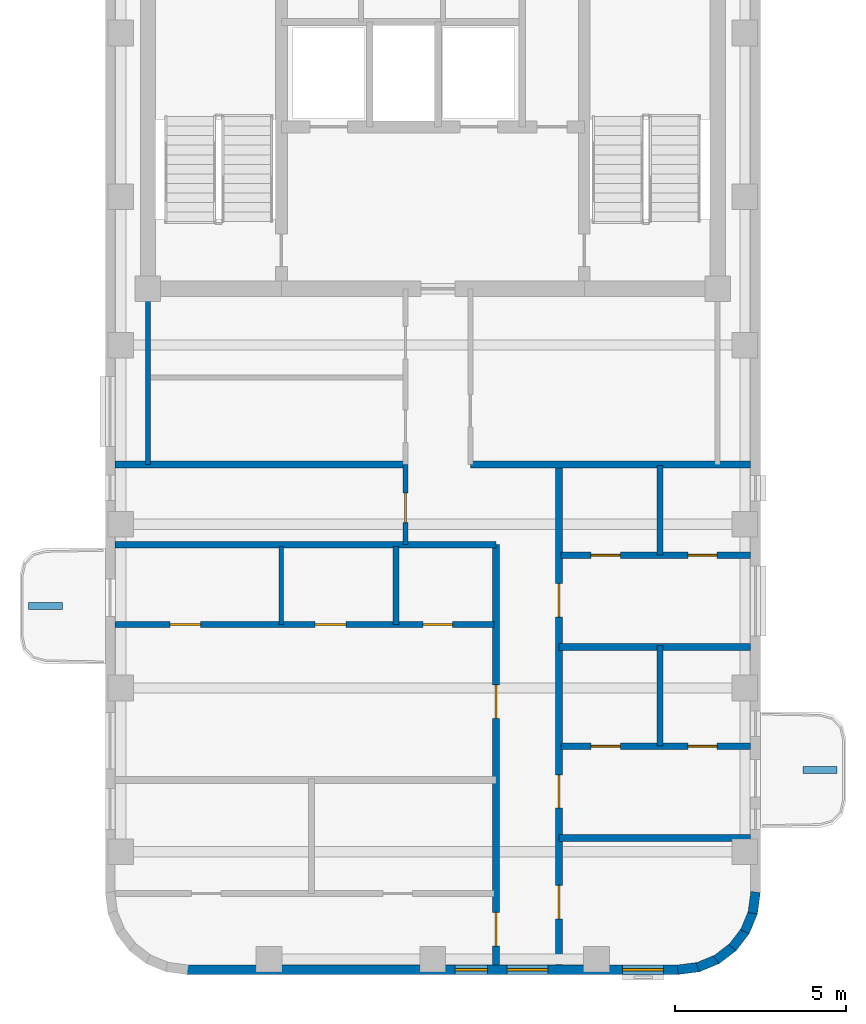
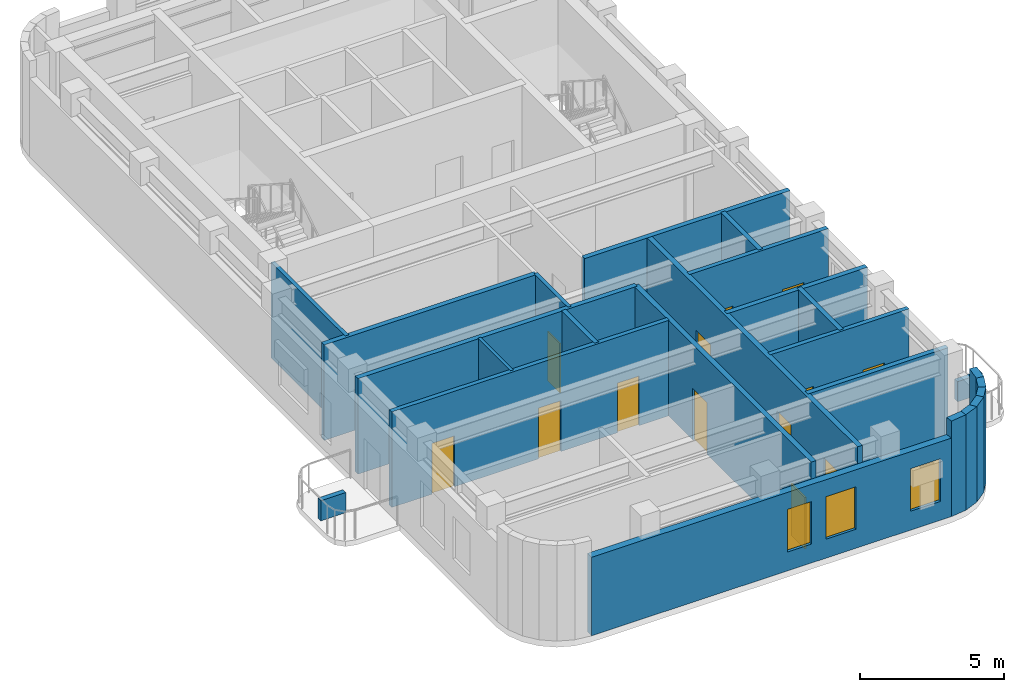
# One storey, part 2 of 7: 25 walls, 13 doors, 3 windows, 16 openings.
"""IFC4 building model written with IfcOpenShell, lengths in metres."""

from ifc_helpers import new_model, si_unit, direction, frame, frame_2d, origin, place, context, subcontext, project, spatial, rectangle, extrude, material, layer, layer_set, type_object, element, fill, save


model = new_model("IFC4")

# Units and contexts
model_context = context("Model", 3, precision=1e-05, world=origin(), true_north=direction((0.0, 1.0)))
body_context = subcontext(model_context, "Body", "Model", "MODEL_VIEW")
ifc_project = project(units=[si_unit("LENGTHUNIT", "METRE"), si_unit("AREAUNIT", "SQUARE_METRE"), si_unit("VOLUMEUNIT", "CUBIC_METRE"), si_unit("PLANEANGLEUNIT", "RADIAN"), si_unit("MASSUNIT", "GRAM", prefix="KILO")], contexts=[model_context])

# Site, building, storey
site_placement = place(None, origin())
site = spatial("IfcSite", under=ifc_project, at=site_placement, CompositionType="ELEMENT")
building_placement = place(site_placement, origin())
building = spatial("IfcBuilding", under=site, at=building_placement, Name="Orvandelia Arch Residences", CompositionType="ELEMENT")
storey_placement = place(building_placement, frame((0.0, 0.0, 269.89990234375)))
storey = spatial("IfcBuildingStorey", under=building, at=storey_placement, Name="L70", CompositionType="ELEMENT", Elevation=269.89990234375)

# Wall, openings, doors
ifc_material_1 = material(Name="Fire-Rated Corridor Partition")
ifc_layer_1 = layer(ifc_material_1, 0.199951171875, Name="Fire-Rated Corridor Partition")
ifc_layer_set_1 = layer_set([ifc_layer_1], Name="Fire-Rated Corridor Partition")
wall_type_1 = type_object("IfcWallType", Name="WL-CORR-200", PredefinedType="PARTITIONING", material=ifc_layer_set_1)
wall_1_placement = place(storey_placement, frame((16.25, 11.080078125, 0.0), z_axis=(0.0, 0.0, 1.0), x_axis=(0.0, 1.0, 0.0)))
wall_1 = element("IfcWall", 1, at=wall_1_placement, inside=storey, type_object=wall_type_1, Name="Interior Partition Wall WL-L70-WC-W", PredefinedType="PARTITIONING", context=body_context, shape_type="SweptSolid", body=[
    extrude(rectangle(XDim=12.31982421875, YDim=0.199951171875, at=frame_2d((6.159912109375, 0.0))), origin(), (0.0, 0.0, 1.0), 4.0400390625),
])
opening_1_placement = place(wall_1_placement, frame((0.56005859375, 0.0, 0.0)))
opening_1 = element("IfcOpeningElement", 2, at=opening_1_placement, cuts=wall_1, Name="Opening D1", PredefinedType="OPENING", context=body_context, shape_type="SweptSolid", body=[
    extrude(rectangle(XDim=0.97998046875, YDim=2.179931640625, at=frame_2d((0.489990234375, 1.08984375))), frame((0.0, 0.10986328125, 0.0), z_axis=(0.0, -1.0, 0.0), x_axis=(1.0, 0.0, 0.0)), (0.0, 0.0, 1.0), 0.219970703125),
])
opening_2_placement = place(wall_1_placement, frame((7.22998046875, 0.0, 0.0)))
opening_2 = element("IfcOpeningElement", 3, at=opening_2_placement, cuts=wall_1, Name="Opening D1", PredefinedType="OPENING", context=body_context, shape_type="SweptSolid", body=[
    extrude(rectangle(XDim=0.97998046875, YDim=2.179931640625, at=frame_2d((0.489990234375, 1.08984375))), frame((0.0, 0.10986328125, 0.0), z_axis=(0.0, -1.0, 0.0), x_axis=(1.0, 0.0, 0.0)), (0.0, 0.0, 1.0), 0.219970703125),
])
ifc_material_2 = material(Name="Solid-Core Timber Acoustic Fire Door", Category="wood")
door_type_1 = type_object("IfcDoorType", Name="DR-ENT-980", OperationType="NOTDEFINED", PredefinedType="DOOR", material=ifc_material_2)
door_1_placement = place(opening_1_placement, origin())
door_1 = element("IfcDoor", 4, at=door_1_placement, inside=storey, type_object=door_type_1, Name="Unit L70-01 Entrance Door", OperationType="SINGLE_SWING_LEFT", OverallHeight=2.179931640625, OverallWidth=0.97998046875, PredefinedType="DOOR", context=body_context, shape_type="SweptSolid", body=[
    extrude(rectangle(XDim=0.97998046875, YDim=2.179931640625, at=frame_2d((0.489990234375, 1.08984375))), frame((0.0, 0.02490234375, 0.0), z_axis=(0.0, -1.0, 0.0), x_axis=(1.0, 0.0, 0.0)), (0.0, 0.0, 1.0), 0.050048828125),
])
fill(opening_1, door_1)
door_2_placement = place(opening_2_placement, origin())
door_2 = element("IfcDoor", 5, at=door_2_placement, inside=storey, type_object=door_type_1, Name="Unit L70-02 Entrance Door", OperationType="SINGLE_SWING_RIGHT", OverallHeight=2.179931640625, OverallWidth=0.97998046875, PredefinedType="DOOR", context=body_context, shape_type="SweptSolid", body=[
    extrude(rectangle(XDim=0.97998046875, YDim=2.179931640625, at=frame_2d((0.489990234375, 1.08984375))), frame((0.0, 0.02490234375, 0.0), z_axis=(0.0, -1.0, 0.0), x_axis=(1.0, 0.0, 0.0)), (0.0, 0.0, 1.0), 0.050048828125),
])
fill(opening_2, door_2)

wall_2_placement = place(storey_placement, frame((18.10009765625, 11.080078125, 0.0), z_axis=(0.0, 0.0, 1.0), x_axis=(0.0, 1.0, 0.0)))
wall_2 = element("IfcWall", 6, at=wall_2_placement, inside=storey, type_object=wall_type_1, Name="Interior Partition Wall WL-L70-WC-E", PredefinedType="PARTITIONING", context=body_context, shape_type="SweptSolid", body=[
    extrude(rectangle(XDim=14.669921875, YDim=0.199951171875, at=frame_2d((7.3349609375, 0.0))), origin(), (0.0, 0.0, 1.0), 4.0400390625),
])
opening_3_placement = place(wall_2_placement, frame((1.35009765625, 0.0, 0.0)))
opening_3 = element("IfcOpeningElement", 7, at=opening_3_placement, cuts=wall_2, Name="Opening D1", PredefinedType="OPENING", context=body_context, shape_type="SweptSolid", body=[
    extrude(rectangle(XDim=0.97998046875, YDim=2.179931640625, at=frame_2d((0.489990234375, 1.08984375))), frame((0.0, 0.10986328125, 0.0), z_axis=(0.0, -1.0, 0.0), x_axis=(1.0, 0.0, 0.0)), (0.0, 0.0, 1.0), 0.219970703125),
])
opening_4_placement = place(wall_2_placement, frame((4.595947265625, 0.0, 0.0)))
opening_4 = element("IfcOpeningElement", 8, at=opening_4_placement, cuts=wall_2, Name="Opening D1", PredefinedType="OPENING", context=body_context, shape_type="SweptSolid", body=[
    extrude(rectangle(XDim=0.97998046875, YDim=2.179931640625, at=frame_2d((0.489990234375, 1.08984375))), frame((0.0, 0.10986328125, 0.0), z_axis=(0.0, -1.0, 0.0), x_axis=(1.0, 0.0, 0.0)), (0.0, 0.0, 1.0), 0.219970703125),
])
opening_5_placement = place(wall_2_placement, frame((10.196044921875, 0.0, 0.0)))
opening_5 = element("IfcOpeningElement", 9, at=opening_5_placement, cuts=wall_2, Name="Opening D1", PredefinedType="OPENING", context=body_context, shape_type="SweptSolid", body=[
    extrude(rectangle(XDim=0.97998046875, YDim=2.179931640625, at=frame_2d((0.489990234375, 1.08984375))), frame((0.0, 0.10986328125, 0.0), z_axis=(0.0, -1.0, 0.0), x_axis=(1.0, 0.0, 0.0)), (0.0, 0.0, 1.0), 0.219970703125),
])
door_3_placement = place(opening_3_placement, origin())
door_3 = element("IfcDoor", 10, at=door_3_placement, inside=storey, type_object=door_type_1, Name="Unit L70-03 Study Door", OperationType="SINGLE_SWING_LEFT", OverallHeight=2.179931640625, OverallWidth=0.97998046875, PredefinedType="DOOR", context=body_context, shape_type="SweptSolid", body=[
    extrude(rectangle(XDim=0.97998046875, YDim=2.179931640625, at=frame_2d((0.489990234375, 1.08984375))), frame((0.0, 0.02490234375, 0.0), z_axis=(0.0, -1.0, 0.0), x_axis=(1.0, 0.0, 0.0)), (0.0, 0.0, 1.0), 0.050048828125),
])
fill(opening_3, door_3)
door_4_placement = place(opening_4_placement, origin())
door_4 = element("IfcDoor", 11, at=door_4_placement, inside=storey, type_object=door_type_1, Name="Unit L70-04 Entrance Door", OperationType="SINGLE_SWING_RIGHT", OverallHeight=2.179931640625, OverallWidth=0.97998046875, PredefinedType="DOOR", context=body_context, shape_type="SweptSolid", body=[
    extrude(rectangle(XDim=0.97998046875, YDim=2.179931640625, at=frame_2d((0.489990234375, 1.08984375))), frame((0.0, 0.02490234375, 0.0), z_axis=(0.0, -1.0, 0.0), x_axis=(1.0, 0.0, 0.0)), (0.0, 0.0, 1.0), 0.050048828125),
])
fill(opening_4, door_4)
door_5_placement = place(opening_5_placement, origin())
door_5 = element("IfcDoor", 12, at=door_5_placement, inside=storey, type_object=door_type_1, Name="Unit L70-05 Entrance Door", OperationType="SINGLE_SWING_LEFT", OverallHeight=2.179931640625, OverallWidth=0.97998046875, PredefinedType="DOOR", context=body_context, shape_type="SweptSolid", body=[
    extrude(rectangle(XDim=0.97998046875, YDim=2.179931640625, at=frame_2d((0.489990234375, 1.08984375))), frame((0.0, 0.02490234375, 0.0), z_axis=(0.0, -1.0, 0.0), x_axis=(1.0, 0.0, 0.0)), (0.0, 0.0, 1.0), 0.050048828125),
])
fill(opening_5, door_5)

# Walls
wall_3_placement = place(storey_placement, frame((5.080078125, 23.39990234375, 0.0), z_axis=(0.0, 0.0, 1.0), x_axis=(1.0, 0.0, 0.0)))
element("IfcWall", 13, at=wall_3_placement, inside=storey, type_object=wall_type_1, Name="Interior Partition Wall WL-L70-WLNK-S", PredefinedType="PARTITIONING", context=body_context, shape_type="SweptSolid", body=[
    extrude(rectangle(XDim=11.169921875, YDim=0.199951171875, at=frame_2d((5.5849609375, 0.0))), origin(), (0.0, 0.0, 1.0), 4.0400390625),
])
wall_4_placement = place(storey_placement, frame((15.5, 25.75, 0.0), z_axis=(0.0, 0.0, 1.0), x_axis=(1.0, 0.0, 0.0)))
element("IfcWall", 14, at=wall_4_placement, inside=storey, type_object=wall_type_1, Name="Interior Partition Wall WL-L70-WLNK-NE", PredefinedType="PARTITIONING", context=body_context, shape_type="SweptSolid", body=[
    extrude(rectangle(XDim=8.219970703125, YDim=0.199951171875, at=frame_2d((4.10986328125, 0.0))), origin(), (0.0, 0.0, 1.0), 4.0400390625),
])
wall_5_placement = place(storey_placement, frame((5.080078125, 25.75, 0.0), z_axis=(0.0, 0.0, 1.0), x_axis=(1.0, 0.0, 0.0)))
element("IfcWall", 15, at=wall_5_placement, inside=storey, type_object=wall_type_1, Name="Interior Partition Wall WL-L70-WLNK-NW2", PredefinedType="PARTITIONING", context=body_context, shape_type="SweptSolid", body=[
    extrude(rectangle(XDim=8.52001953125, YDim=0.199951171875, at=frame_2d((4.260009765625, 0.0))), origin(), (0.0, 0.0, 1.0), 4.0400390625),
])
ifc_material_3 = material(Name="Concrete C40/50", Category="concrete")
ifc_layer_2 = layer(ifc_material_3, 0.199951171875, Name="Concrete C40/50", Category="concrete")
ifc_layer_set_2 = layer_set([ifc_layer_2], Name="Concrete C40/50")
wall_type_2 = type_object("IfcWallType", Name="WL-DEM-200", PredefinedType="SOLIDWALL", material=ifc_layer_set_2)
for number, where, z_axis, x_axis, name in (
    (16, (18.10009765625, 14.800048828125, 0.0), (0.0, 0.0, 1.0), (1.0, 0.0, 0.0), "Interior Partition Wall WL-L70-DEM-WR-148"),
    (17, (18.10009765625, 20.39990234375, 0.0), (0.0, 0.0, 1.0), (1.0, 0.0, 0.0), "Interior Partition Wall WL-L70-DEM-WR-204"),
):
    element("IfcWall", number, at=place(storey_placement, frame(where, z_axis=z_axis, x_axis=x_axis)), inside=storey, type_object=wall_type_2, Name=name, PredefinedType="SOLIDWALL", context=body_context, shape_type="SweptSolid", body=[
        extrude(rectangle(XDim=5.619873046875, YDim=0.199951171875, at=frame_2d((2.81005859375, 0.0))), origin(), (0.0, 0.0, 1.0), 4.0400390625),
    ])
ifc_material_4 = material(Name="Precast concrete C40/50", Category="concrete")
ifc_layer_3 = layer(ifc_material_4, 0.280029296875, Name="Precast concrete C40/50", Category="concrete")
ifc_layer_set_3 = layer_set([ifc_layer_3], Name="Precast concrete C40/50")
wall_type_3 = type_object("IfcWallType", Name="WL-EXT-STONE-280", PredefinedType="STANDARD", material=ifc_layer_set_3)
wall_6_placement = place(storey_placement, frame((23.861083984375, 13.21826171875, 0.0), z_axis=(0.0, 0.0, 1.0), x_axis=(-0.130555323746, -0.9914410257, 0.0)))
element("IfcWall", 18, at=wall_6_placement, inside=storey, type_object=wall_type_3, Name="Coral-Limestone Precast Facade Wall L70-015", PredefinedType="STANDARD", context=body_context, shape_type="SweptSolid", body=[
    extrude(rectangle(XDim=0.62646484375, YDim=0.280029296875, at=frame_2d((0.313232421875, 0.0))), origin(), (0.0, 0.0, 1.0), 4.0400390625),
])
wall_7_placement = place(storey_placement, frame((23.788818359375, 12.63232421875, 0.0), z_axis=(0.0, 0.0, 1.0), x_axis=(-0.382455093999, -0.923974080304, 0.0)))
element("IfcWall", 19, at=wall_7_placement, inside=storey, type_object=wall_type_3, Name="Coral-Limestone Precast Facade Wall L70-016", PredefinedType="STANDARD", context=body_context, shape_type="SweptSolid", body=[
    extrude(rectangle(XDim=0.626220703125, YDim=0.280029296875, at=frame_2d((0.31298828125, 0.0))), origin(), (0.0, 0.0, 1.0), 4.0400390625),
])
for number, where, z_axis, x_axis, name in (
    (20, (23.5673828125, 12.085205078125, 0.0), (0.0, 0.0, 1.0), (-0.608693302629, -0.793405610854, 0.0), "Coral-Limestone Precast Facade Wall L70-017"),
    (21, (23.2119140625, 11.614013671875, 0.0), (0.0, 0.0, 1.0), (-0.793405610854, -0.608693302629, 0.0), "Coral-Limestone Precast Facade Wall L70-018"),
    (22, (22.746337890625, 11.250732421875, 0.0), (0.0, 0.0, 1.0), (-0.92389335771, -0.382650053678, 0.0), "Coral-Limestone Precast Facade Wall L70-019"),
    (23, (22.202880859375, 11.0205078125, 0.0), (0.0, 0.0, 1.0), (-0.9914410257, -0.130555323746, 0.0), "Coral-Limestone Precast Facade Wall L70-020"),
):
    element("IfcWall", number, at=place(storey_placement, frame(where, z_axis=z_axis, x_axis=x_axis)), inside=storey, type_object=wall_type_3, Name=name, PredefinedType="STANDARD", context=body_context, shape_type="SweptSolid", body=[
        extrude(rectangle(XDim=0.62646484375, YDim=0.280029296875, at=frame_2d((0.313232421875, 0.0))), origin(), (0.0, 0.0, 1.0), 4.0400390625),
    ])

# Wall, openings, windows
wall_8_placement = place(storey_placement, frame((21.60009765625, 10.93994140625, 0.0), z_axis=(0.0, 0.0, 1.0), x_axis=(-1.0, 0.0, 0.0)))
wall_8 = element("IfcWall", 24, at=wall_8_placement, inside=storey, type_object=wall_type_3, Name="Coral-Limestone Precast Facade Wall L70-021", PredefinedType="STANDARD", context=body_context, shape_type="SweptSolid", body=[
    extrude(rectangle(XDim=14.400146484375, YDim=0.280029296875, at=frame_2d((7.2001953125, 0.0))), origin(), (0.0, 0.0, 1.0), 3.320068359375),
])
opening_6_placement = place(wall_8_placement, frame((5.6025390625, 0.0, 0.800048828125)))
opening_6 = element("IfcOpeningElement", 25, at=opening_6_placement, cuts=wall_8, Name="Opening W4", PredefinedType="OPENING", context=body_context, shape_type="SweptSolid", body=[
    extrude(rectangle(XDim=0.949951171875, YDim=1.800048828125, at=frame_2d((0.47509765625, 0.89990234375))), frame((0.0, 0.14990234375, 0.0), z_axis=(0.0, -1.0, 0.0), x_axis=(1.0, 0.0, 0.0)), (0.0, 0.0, 1.0), 0.300048828125),
])
opening_7_placement = place(wall_8_placement, frame((3.824951171875, 0.0, 0.800048828125)))
opening_7 = element("IfcOpeningElement", 26, at=opening_7_placement, cuts=wall_8, Name="Opening W3", PredefinedType="OPENING", context=body_context, shape_type="SweptSolid", body=[
    extrude(rectangle(XDim=1.199951171875, YDim=1.800048828125, at=frame_2d((0.60009765625, 0.89990234375))), frame((0.0, 0.14990234375, 0.0), z_axis=(0.0, -1.0, 0.0), x_axis=(1.0, 0.0, 0.0)), (0.0, 0.0, 1.0), 0.300048828125),
])
opening_8_placement = place(wall_8_placement, frame((0.4326171875, 0.0, 0.800048828125)))
opening_8 = element("IfcOpeningElement", 27, at=opening_8_placement, cuts=wall_8, Name="Opening W3", PredefinedType="OPENING", context=body_context, shape_type="SweptSolid", body=[
    extrude(rectangle(XDim=1.199951171875, YDim=1.800048828125, at=frame_2d((0.60009765625, 0.89990234375))), frame((0.0, 0.14990234375, 0.0), z_axis=(0.0, -1.0, 0.0), x_axis=(1.0, 0.0, 0.0)), (0.0, 0.0, 1.0), 0.300048828125),
])
ifc_material_5 = material(Name="Tempered Low-E Insulated Glazing", Category="glass")
window_type_1 = type_object("IfcWindowType", Name="WIN-RES-0950x1800", PartitioningType="SINGLE_PANEL", PredefinedType="WINDOW", material=ifc_material_5)
window_1_placement = place(opening_6_placement, origin())
window_1 = element("IfcWindow", 28, at=window_1_placement, inside=storey, type_object=window_type_1, Name="Recessed Punched Window L70-007", OverallHeight=1.800048828125, OverallWidth=0.949951171875, PartitioningType="SINGLE_PANEL", PredefinedType="WINDOW", context=body_context, shape_type="SweptSolid", body=[
    extrude(rectangle(XDim=0.949951171875, YDim=1.800048828125, at=frame_2d((0.47509765625, 0.89990234375))), frame((0.0, 0.030029296875, 0.0), z_axis=(0.0, -1.0, 0.0), x_axis=(1.0, 0.0, 0.0)), (0.0, 0.0, 1.0), 0.06005859375),
])
fill(opening_6, window_1)
window_type_2 = type_object("IfcWindowType", Name="WIN-RES-1200x1800", PartitioningType="SINGLE_PANEL", PredefinedType="WINDOW", material=ifc_material_5)
window_2_placement = place(opening_7_placement, origin())
window_2 = element("IfcWindow", 29, at=window_2_placement, inside=storey, type_object=window_type_2, Name="Recessed Punched Window L70-008", OverallHeight=1.800048828125, OverallWidth=1.199951171875, PartitioningType="SINGLE_PANEL", PredefinedType="WINDOW", context=body_context, shape_type="SweptSolid", body=[
    extrude(rectangle(XDim=1.199951171875, YDim=1.800048828125, at=frame_2d((0.60009765625, 0.89990234375))), frame((0.0, 0.030029296875, 0.0), z_axis=(0.0, -1.0, 0.0), x_axis=(1.0, 0.0, 0.0)), (0.0, 0.0, 1.0), 0.06005859375),
])
fill(opening_7, window_2)
window_3_placement = place(opening_8_placement, origin())
window_3 = element("IfcWindow", 30, at=window_3_placement, inside=storey, type_object=window_type_2, Name="Recessed Punched Window L70-009", OverallHeight=1.800048828125, OverallWidth=1.199951171875, PartitioningType="SINGLE_PANEL", PredefinedType="WINDOW", context=body_context, shape_type="SweptSolid", body=[
    extrude(rectangle(XDim=1.199951171875, YDim=1.800048828125, at=frame_2d((0.60009765625, 0.89990234375))), frame((0.0, 0.030029296875, 0.0), z_axis=(0.0, -1.0, 0.0), x_axis=(1.0, 0.0, 0.0)), (0.0, 0.0, 1.0), 0.06005859375),
])
fill(opening_8, window_3)

# Walls
ifc_material_6 = material(Name="Lightweight Gypsum Stud Partition")
ifc_layer_4 = layer(ifc_material_6, 0.1201171875, Name="Lightweight Gypsum Stud Partition")
ifc_layer_set_4 = layer_set([ifc_layer_4], Name="Lightweight Gypsum Stud Partition")
wall_type_4 = type_object("IfcWallType", Name="WL-PART-120", PredefinedType="PARTITIONING", material=ifc_layer_set_4)
wall_9_placement = place(storey_placement, frame((9.95703125, 21.06005859375, 0.0), z_axis=(0.0, 0.0, 1.0), x_axis=(0.0, 1.0, 0.0)))
element("IfcWall", 31, at=wall_9_placement, inside=storey, type_object=wall_type_4, Name="Interior Partition Wall WL-L70-U02-V1", PredefinedType="PARTITIONING", context=body_context, shape_type="SweptSolid", body=[
    extrude(rectangle(XDim=2.280029296875, YDim=0.1201171875, at=frame_2d((1.14013671875, 0.0))), origin(), (0.0, 0.0, 1.0), 4.0400390625),
])
ifc_material_7 = material(Name="Acoustic Gypsum Stud Partition")
ifc_layer_5 = layer(ifc_material_7, 0.14990234375, Name="Acoustic Gypsum Stud Partition")
ifc_layer_set_5 = layer_set([ifc_layer_5], Name="Acoustic Gypsum Stud Partition")
wall_type_5 = type_object("IfcWallType", Name="WL-PART-150", PredefinedType="PARTITIONING", material=ifc_layer_set_5)
wall_10_placement = place(storey_placement, frame((6.050048828125, 25.75, 0.0), z_axis=(0.0, 0.0, 1.0), x_axis=(0.0, 1.0, 0.0)))
element("IfcWall", 32, at=wall_10_placement, inside=storey, type_object=wall_type_5, Name="Interior Partition Wall WL-L70-HI-WW", PredefinedType="PARTITIONING", context=body_context, shape_type="SweptSolid", body=[
    extrude(rectangle(XDim=5.14990234375, YDim=0.14990234375, at=frame_2d((2.574951171875, 0.0))), origin(), (0.0, 0.0, 1.0), 4.0400390625),
])

# Wall, opening, door
wall_11_placement = place(storey_placement, frame((13.60009765625, 23.39990234375, 0.0), z_axis=(0.0, 0.0, 1.0), x_axis=(0.0, 1.0, 0.0)))
wall_11 = element("IfcWall", 33, at=wall_11_placement, inside=storey, type_object=wall_type_5, Name="Interior Partition Wall WL-L70-WLNK-W", PredefinedType="PARTITIONING", context=body_context, shape_type="SweptSolid", body=[
    extrude(rectangle(XDim=2.35009765625, YDim=0.14990234375, at=frame_2d((1.175048828125, 0.0))), origin(), (0.0, 0.0, 1.0), 4.0400390625),
])
opening_9_placement = place(wall_11_placement, frame((0.64990234375, 0.0, 0.0)))
opening_9 = element("IfcOpeningElement", 34, at=opening_9_placement, cuts=wall_11, Name="Opening D4", PredefinedType="OPENING", context=body_context, shape_type="SweptSolid", body=[
    extrude(rectangle(XDim=0.860107421875, YDim=2.10009765625, at=frame_2d((0.43017578125, 1.050048828125))), frame((0.0, 0.0849609375, 0.0), z_axis=(0.0, -1.0, 0.0), x_axis=(1.0, 0.0, 0.0)), (0.0, 0.0, 1.0), 0.169921875),
])
ifc_material_8 = material(Name="Moisture-Sealed Timber Bathroom Door", Category="wood")
door_type_2 = type_object("IfcDoorType", Name="DR-WET-900", OperationType="NOTDEFINED", PredefinedType="DOOR", material=ifc_material_8)
door_6_placement = place(opening_9_placement, origin())
door_6 = element("IfcDoor", 35, at=door_6_placement, inside=storey, type_object=door_type_2, Name="DR-L70-WLNKST", OperationType="SINGLE_SWING_LEFT", OverallHeight=2.10009765625, OverallWidth=0.860107421875, PredefinedType="DOOR", context=body_context, shape_type="SweptSolid", body=[
    extrude(rectangle(XDim=0.860107421875, YDim=2.10009765625, at=frame_2d((0.43017578125, 1.050048828125))), frame((0.0, 0.02490234375, 0.0), z_axis=(0.0, -1.0, 0.0), x_axis=(1.0, 0.0, 0.0)), (0.0, 0.0, 1.0), 0.050048828125),
])
fill(opening_9, door_6)

# Walls
ifc_layer_6 = layer(ifc_material_4, 0.199951171875, Name="Precast concrete C40/50", Category="concrete")
ifc_layer_set_6 = layer_set([ifc_layer_6], Name="Precast concrete C40/50")
wall_type_6 = type_object("IfcWallType", Name="WL-PLANTER-200", PredefinedType="MOVABLE", material=ifc_layer_set_6)
for number, where, z_axis, x_axis, name in (
    (36, (2.550048828125, 21.60009765625, 0.0), (0.0, 0.0, 1.0), (1.0, 0.0, 0.0), "Balcony Precast Tree Planter BAL-L70-W1"),
    (37, (25.25, 16.800048828125, 0.0), (0.0, 0.0, 1.0), (1.0, 0.0, 0.0), "Balcony Precast Tree Planter BAL-L70-W2"),
):
    element("IfcWall", number, at=place(storey_placement, frame(where, z_axis=z_axis, x_axis=x_axis)), inside=storey, type_object=wall_type_6, Name=name, PredefinedType="MOVABLE", context=body_context, shape_type="SweptSolid", body=[
        extrude(rectangle(XDim=1.0, YDim=0.199951171875, at=frame_2d((0.5, 0.0))), origin(), (0.0, 0.0, 1.0), 0.85009765625),
    ])

# Wall, openings, doors
ifc_material_9 = material(Name="Moisture-Resistant Plumbing Wall")
ifc_layer_7 = layer(ifc_material_9, 0.179931640625, Name="Moisture-Resistant Plumbing Wall")
ifc_layer_set_7 = layer_set([ifc_layer_7], Name="Moisture-Resistant Plumbing Wall")
wall_type_7 = type_object("IfcWallType", Name="WL-WET-180", PredefinedType="PLUMBINGWALL", material=ifc_layer_set_7)
wall_12_placement = place(storey_placement, frame((5.080078125, 21.06005859375, 0.0), z_axis=(0.0, 0.0, 1.0), x_axis=(1.0, 0.0, 0.0)))
wall_12 = element("IfcWall", 38, at=wall_12_placement, inside=storey, type_object=wall_type_7, Name="Interior Partition Wall WL-L70-U02-HZ", PredefinedType="PLUMBINGWALL", context=body_context, shape_type="SweptSolid", body=[
    extrude(rectangle(XDim=11.10986328125, YDim=0.179931640625, at=frame_2d((5.554931640625, 0.0))), origin(), (0.0, 0.0, 1.0), 4.0400390625),
])
opening_10_placement = place(wall_12_placement, frame((1.611083984375, 0.0, 0.0)))
opening_10 = element("IfcOpeningElement", 39, at=opening_10_placement, cuts=wall_12, Name="Opening D3", PredefinedType="OPENING", context=body_context, shape_type="SweptSolid", body=[
    extrude(rectangle(XDim=0.89990234375, YDim=2.14990234375, at=frame_2d((0.449951171875, 1.074951171875))), frame((0.0, 0.10009765625, 0.0), z_axis=(0.0, -1.0, 0.0), x_axis=(1.0, 0.0, 0.0)), (0.0, 0.0, 1.0), 0.199951171875),
])
opening_11_placement = place(wall_12_placement, frame((5.874267578125, 0.0, 0.0)))
opening_11 = element("IfcOpeningElement", 40, at=opening_11_placement, cuts=wall_12, Name="Opening D3", PredefinedType="OPENING", context=body_context, shape_type="SweptSolid", body=[
    extrude(rectangle(XDim=0.89990234375, YDim=2.14990234375, at=frame_2d((0.449951171875, 1.074951171875))), frame((0.0, 0.10009765625, 0.0), z_axis=(0.0, -1.0, 0.0), x_axis=(1.0, 0.0, 0.0)), (0.0, 0.0, 1.0), 0.199951171875),
])
opening_12_placement = place(wall_12_placement, frame((9.0380859375, 0.0, 0.0)))
opening_12 = element("IfcOpeningElement", 41, at=opening_12_placement, cuts=wall_12, Name="Opening D4", PredefinedType="OPENING", context=body_context, shape_type="SweptSolid", body=[
    extrude(rectangle(XDim=0.860107421875, YDim=2.10009765625, at=frame_2d((0.43017578125, 1.050048828125))), frame((0.0, 0.10009765625, 0.0), z_axis=(0.0, -1.0, 0.0), x_axis=(1.0, 0.0, 0.0)), (0.0, 0.0, 1.0), 0.199951171875),
])
ifc_material_10 = material(Name="Engineered Timber Flush Door", Category="wood")
door_type_3 = type_object("IfcDoorType", Name="DR-INT-900", OperationType="NOTDEFINED", PredefinedType="DOOR", material=ifc_material_10)
door_7_placement = place(opening_10_placement, origin())
door_7 = element("IfcDoor", 42, at=door_7_placement, inside=storey, type_object=door_type_3, Name="DR-L70-U02-BD1", OperationType="SINGLE_SWING_RIGHT", OverallHeight=2.14990234375, OverallWidth=0.89990234375, PredefinedType="DOOR", context=body_context, shape_type="SweptSolid", body=[
    extrude(rectangle(XDim=0.89990234375, YDim=2.14990234375, at=frame_2d((0.449951171875, 1.074951171875))), frame((0.0, 0.02490234375, 0.0), z_axis=(0.0, -1.0, 0.0), x_axis=(1.0, 0.0, 0.0)), (0.0, 0.0, 1.0), 0.050048828125),
])
fill(opening_10, door_7)
door_8_placement = place(opening_11_placement, origin())
door_8 = element("IfcDoor", 43, at=door_8_placement, inside=storey, type_object=door_type_3, Name="DR-L70-U02-KIT", OperationType="SINGLE_SWING_LEFT", OverallHeight=2.14990234375, OverallWidth=0.89990234375, PredefinedType="DOOR", context=body_context, shape_type="SweptSolid", body=[
    extrude(rectangle(XDim=0.89990234375, YDim=2.14990234375, at=frame_2d((0.449951171875, 1.074951171875))), frame((0.0, 0.02490234375, 0.0), z_axis=(0.0, -1.0, 0.0), x_axis=(1.0, 0.0, 0.0)), (0.0, 0.0, 1.0), 0.050048828125),
])
fill(opening_11, door_8)
door_9_placement = place(opening_12_placement, origin())
door_9 = element("IfcDoor", 44, at=door_9_placement, inside=storey, type_object=door_type_2, Name="DR-L70-U02-BTH", OperationType="SINGLE_SWING_RIGHT", OverallHeight=2.10009765625, OverallWidth=0.860107421875, PredefinedType="DOOR", context=body_context, shape_type="SweptSolid", body=[
    extrude(rectangle(XDim=0.860107421875, YDim=2.10009765625, at=frame_2d((0.43017578125, 1.050048828125))), frame((0.0, 0.02490234375, 0.0), z_axis=(0.0, -1.0, 0.0), x_axis=(1.0, 0.0, 0.0)), (0.0, 0.0, 1.0), 0.050048828125),
])
fill(opening_12, door_9)

# Wall
wall_13_placement = place(storey_placement, frame((13.322998046875, 21.06005859375, 0.0), z_axis=(0.0, 0.0, 1.0), x_axis=(0.0, 1.0, 0.0)))
element("IfcWall", 45, at=wall_13_placement, inside=storey, type_object=wall_type_7, Name="Interior Partition Wall WL-L70-U02-V2", PredefinedType="PLUMBINGWALL", context=body_context, shape_type="SweptSolid", body=[
    extrude(rectangle(XDim=2.280029296875, YDim=0.179931640625, at=frame_2d((1.14013671875, 0.0))), origin(), (0.0, 0.0, 1.0), 4.0400390625),
])

# Wall, openings, doors
wall_14_placement = place(storey_placement, frame((18.159912109375, 17.491943359375, 0.0), z_axis=(0.0, 0.0, 1.0), x_axis=(1.0, 0.0, 0.0)))
wall_14 = element("IfcWall", 46, at=wall_14_placement, inside=storey, type_object=wall_type_7, Name="Interior Partition Wall WL-L70-U04-HZ", PredefinedType="PLUMBINGWALL", context=body_context, shape_type="SweptSolid", body=[
    extrude(rectangle(XDim=5.56005859375, YDim=0.179931640625, at=frame_2d((2.780029296875, 0.0))), origin(), (0.0, 0.0, 1.0), 4.0400390625),
])
opening_13_placement = place(wall_14_placement, frame((0.8759765625, 0.0, 0.0)))
opening_13 = element("IfcOpeningElement", 47, at=opening_13_placement, cuts=wall_14, Name="Opening D4", PredefinedType="OPENING", context=body_context, shape_type="SweptSolid", body=[
    extrude(rectangle(XDim=0.860107421875, YDim=2.10009765625, at=frame_2d((0.43017578125, 1.050048828125))), frame((0.0, 0.10009765625, 0.0), z_axis=(0.0, -1.0, 0.0), x_axis=(1.0, 0.0, 0.0)), (0.0, 0.0, 1.0), 0.199951171875),
])
opening_14_placement = place(wall_14_placement, frame((3.716064453125, 0.0, 0.0)))
opening_14 = element("IfcOpeningElement", 48, at=opening_14_placement, cuts=wall_14, Name="Opening D4", PredefinedType="OPENING", context=body_context, shape_type="SweptSolid", body=[
    extrude(rectangle(XDim=0.860107421875, YDim=2.10009765625, at=frame_2d((0.43017578125, 1.050048828125))), frame((0.0, 0.10009765625, 0.0), z_axis=(0.0, -1.0, 0.0), x_axis=(1.0, 0.0, 0.0)), (0.0, 0.0, 1.0), 0.199951171875),
])
door_10_placement = place(opening_13_placement, origin())
door_10 = element("IfcDoor", 49, at=door_10_placement, inside=storey, type_object=door_type_2, Name="DR-L70-U04-KIT", OperationType="SINGLE_SWING_RIGHT", OverallHeight=2.10009765625, OverallWidth=0.860107421875, PredefinedType="DOOR", context=body_context, shape_type="SweptSolid", body=[
    extrude(rectangle(XDim=0.860107421875, YDim=2.10009765625, at=frame_2d((0.43017578125, 1.050048828125))), frame((0.0, 0.02490234375, 0.0), z_axis=(0.0, -1.0, 0.0), x_axis=(1.0, 0.0, 0.0)), (0.0, 0.0, 1.0), 0.050048828125),
])
fill(opening_13, door_10)
door_11_placement = place(opening_14_placement, origin())
door_11 = element("IfcDoor", 50, at=door_11_placement, inside=storey, type_object=door_type_2, Name="DR-L70-U04-BTH", OperationType="SINGLE_SWING_LEFT", OverallHeight=2.10009765625, OverallWidth=0.860107421875, PredefinedType="DOOR", context=body_context, shape_type="SweptSolid", body=[
    extrude(rectangle(XDim=0.860107421875, YDim=2.10009765625, at=frame_2d((0.43017578125, 1.050048828125))), frame((0.0, 0.02490234375, 0.0), z_axis=(0.0, -1.0, 0.0), x_axis=(1.0, 0.0, 0.0)), (0.0, 0.0, 1.0), 0.050048828125),
])
fill(opening_14, door_11)

# Wall
wall_15_placement = place(storey_placement, frame((21.06201171875, 17.491943359375, 0.0), z_axis=(0.0, 0.0, 1.0), x_axis=(0.0, 1.0, 0.0)))
element("IfcWall", 51, at=wall_15_placement, inside=storey, type_object=wall_type_7, Name="Interior Partition Wall WL-L70-U04-V1", PredefinedType="PLUMBINGWALL", context=body_context, shape_type="SweptSolid", body=[
    extrude(rectangle(XDim=2.947998046875, YDim=0.179931640625, at=frame_2d((1.47412109375, 0.0))), origin(), (0.0, 0.0, 1.0), 4.0400390625),
])

# Wall, openings, doors
wall_16_placement = place(storey_placement, frame((18.159912109375, 23.092041015625, 0.0), z_axis=(0.0, 0.0, 1.0), x_axis=(1.0, 0.0, 0.0)))
wall_16 = element("IfcWall", 52, at=wall_16_placement, inside=storey, type_object=wall_type_7, Name="Interior Partition Wall WL-L70-U05-HZ", PredefinedType="PLUMBINGWALL", context=body_context, shape_type="SweptSolid", body=[
    extrude(rectangle(XDim=5.56005859375, YDim=0.179931640625, at=frame_2d((2.780029296875, 0.0))), origin(), (0.0, 0.0, 1.0), 4.0400390625),
])
opening_15_placement = place(wall_16_placement, frame((0.8759765625, 0.0, 0.0)))
opening_15 = element("IfcOpeningElement", 53, at=opening_15_placement, cuts=wall_16, Name="Opening D4", PredefinedType="OPENING", context=body_context, shape_type="SweptSolid", body=[
    extrude(rectangle(XDim=0.860107421875, YDim=2.10009765625, at=frame_2d((0.43017578125, 1.050048828125))), frame((0.0, 0.10009765625, 0.0), z_axis=(0.0, -1.0, 0.0), x_axis=(1.0, 0.0, 0.0)), (0.0, 0.0, 1.0), 0.199951171875),
])
opening_16_placement = place(wall_16_placement, frame((3.716064453125, 0.0, 0.0)))
opening_16 = element("IfcOpeningElement", 54, at=opening_16_placement, cuts=wall_16, Name="Opening D4", PredefinedType="OPENING", context=body_context, shape_type="SweptSolid", body=[
    extrude(rectangle(XDim=0.860107421875, YDim=2.10009765625, at=frame_2d((0.43017578125, 1.050048828125))), frame((0.0, 0.10009765625, 0.0), z_axis=(0.0, -1.0, 0.0), x_axis=(1.0, 0.0, 0.0)), (0.0, 0.0, 1.0), 0.199951171875),
])
door_12_placement = place(opening_15_placement, origin())
door_12 = element("IfcDoor", 55, at=door_12_placement, inside=storey, type_object=door_type_2, Name="DR-L70-U05-KIT", OperationType="SINGLE_SWING_LEFT", OverallHeight=2.10009765625, OverallWidth=0.860107421875, PredefinedType="DOOR", context=body_context, shape_type="SweptSolid", body=[
    extrude(rectangle(XDim=0.860107421875, YDim=2.10009765625, at=frame_2d((0.43017578125, 1.050048828125))), frame((0.0, 0.02490234375, 0.0), z_axis=(0.0, -1.0, 0.0), x_axis=(1.0, 0.0, 0.0)), (0.0, 0.0, 1.0), 0.050048828125),
])
fill(opening_15, door_12)
door_13_placement = place(opening_16_placement, origin())
door_13 = element("IfcDoor", 56, at=door_13_placement, inside=storey, type_object=door_type_2, Name="DR-L70-U05-BTH", OperationType="SINGLE_SWING_RIGHT", OverallHeight=2.10009765625, OverallWidth=0.860107421875, PredefinedType="DOOR", context=body_context, shape_type="SweptSolid", body=[
    extrude(rectangle(XDim=0.860107421875, YDim=2.10009765625, at=frame_2d((0.43017578125, 1.050048828125))), frame((0.0, 0.02490234375, 0.0), z_axis=(0.0, -1.0, 0.0), x_axis=(1.0, 0.0, 0.0)), (0.0, 0.0, 1.0), 0.050048828125),
])
fill(opening_16, door_13)

# Wall
wall_17_placement = place(storey_placement, frame((21.06201171875, 23.092041015625, 0.0), z_axis=(0.0, 0.0, 1.0), x_axis=(0.0, 1.0, 0.0)))
element("IfcWall", 57, at=wall_17_placement, inside=storey, type_object=wall_type_7, Name="Interior Partition Wall WL-L70-U05-V1", PredefinedType="PLUMBINGWALL", context=body_context, shape_type="SweptSolid", body=[
    extrude(rectangle(XDim=2.6279296875, YDim=0.179931640625, at=frame_2d((1.31396484375, 0.0))), origin(), (0.0, 0.0, 1.0), 4.0400390625),
])

save(model, "model.ifc")
